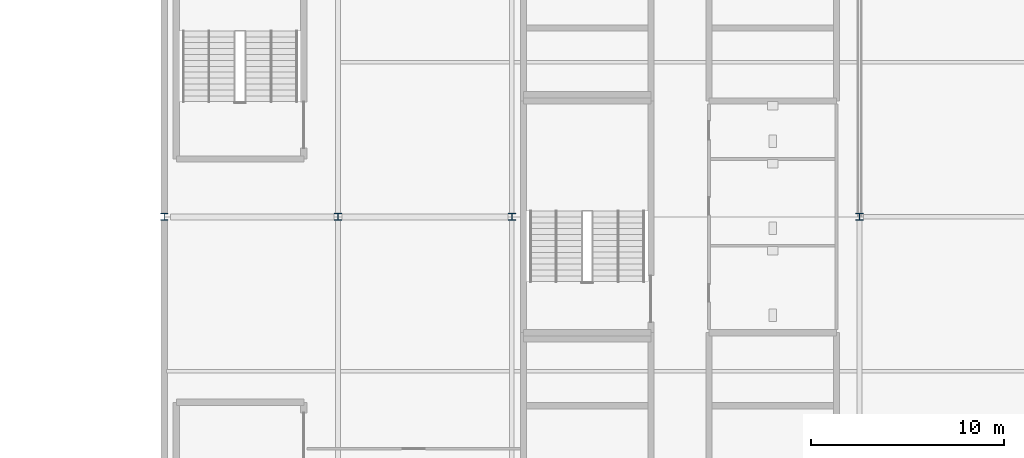
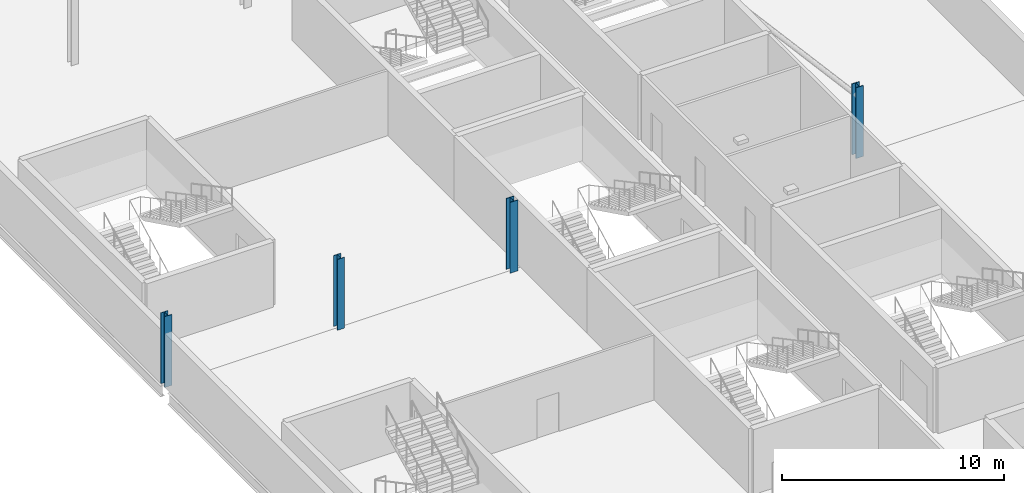
# One storey, part 12 of 105: 4 columns.
"""IFC4 building model written with IfcOpenShell, lengths in metres."""

from ifc_helpers import new_model, si_unit, direction, frame, origin, origin_2d, place, context, subcontext, project, spatial, i_section, extrude, material, material_profile, profile_set, type_object, element, save


model = new_model("IFC4")

# Units and contexts
model_context = context("Model", 3, precision=1e-05, world=origin(), true_north=direction((0.0, 1.0)))
body_context = subcontext(model_context, "Body", "Model", "MODEL_VIEW")
ifc_project = project(units=[si_unit("LENGTHUNIT", "METRE"), si_unit("AREAUNIT", "SQUARE_METRE"), si_unit("VOLUMEUNIT", "CUBIC_METRE"), si_unit("PLANEANGLEUNIT", "RADIAN"), si_unit("MASSUNIT", "GRAM", prefix="KILO")], contexts=[model_context])

# Site, building, storey
site_placement = place(None, origin())
site = spatial("IfcSite", under=ifc_project, at=site_placement, CompositionType="ELEMENT")
building_placement = place(site_placement, origin())
building = spatial("IfcBuilding", under=site, at=building_placement, Name="Kisiwana Market Hall", CompositionType="ELEMENT")
storey_placement = place(building_placement, frame((0.0, 0.0, 21.60009765625)))
storey = spatial("IfcBuildingStorey", under=building, at=storey_placement, Name="L04", CompositionType="ELEMENT", Elevation=21.60009765625)

# Columns
ifc_material_1 = material(Name="Steel S355", Category="steel")
ifc_material_profile_1 = material_profile(ifc_material_1, i_section(OverallWidth=0.37255859375, OverallDepth=0.3681640625, WebThickness=0.014404296875, FlangeThickness=0.023681640625, FilletRadius=0.01513671875, at=origin_2d()), Name="UC 356x368x177")
ifc_profile_set_1 = profile_set([ifc_material_profile_1], Name="Steel S355")
column_type_1 = type_object("IfcColumnType", Name="COL-STL-UC177", PredefinedType="COLUMN", material=ifc_profile_set_1)
for number, where, z_axis, x_axis, name in (
    (1, (153.0, 60.0, 0.0), (0.0, 0.0, 1.0), (1.0, 0.0, 0.0), "Column H/18 (L04) C-0847"),
    (2, (162.0, 60.0, 0.0), (0.0, 0.0, 1.0), (1.0, 0.0, 0.0), "Column H/19 (L04) C-0786"),
):
    element("IfcColumn", number, at=place(storey_placement, frame(where, z_axis=z_axis, x_axis=x_axis)), inside=storey, type_object=column_type_1, Name=name, PredefinedType="COLUMN", context=body_context, shape_type="SweptSolid", body=[
        extrude(i_section(OverallWidth=0.37255859375, OverallDepth=0.3681640625, WebThickness=0.014404296875, FlangeThickness=0.023681640625, FilletRadius=0.01513671875, at=origin_2d()), origin(), (0.0, 0.0, 1.0), 3.89990234375),
    ])
ifc_material_2 = material(Name="Steel S355", Category="steel")
ifc_material_profile_2 = material_profile(ifc_material_2, i_section(OverallWidth=0.394775390625, OverallDepth=0.381103515625, WebThickness=0.018310546875, FlangeThickness=0.0302734375, at=origin_2d()), Name="UC 356x406x235")
ifc_profile_set_2 = profile_set([ifc_material_profile_2], Name="Steel S355")
column_type_2 = type_object("IfcColumnType", Name="COL-STL-UC235", PredefinedType="COLUMN", material=ifc_profile_set_2)
for number, where, z_axis, x_axis, name in (
    (3, (171.0, 60.0, 0.0), (0.0, 0.0, 1.0), (1.0, 0.0, 0.0), "Column H/20 (L04) C-0861"),
    (4, (189.0, 60.0, 0.0), (0.0, 0.0, 1.0), (1.0, 0.0, 0.0), "Column H/22 (L04) C-0787"),
):
    element("IfcColumn", number, at=place(storey_placement, frame(where, z_axis=z_axis, x_axis=x_axis)), inside=storey, type_object=column_type_2, Name=name, PredefinedType="COLUMN", context=body_context, shape_type="SweptSolid", body=[
        extrude(i_section(OverallWidth=0.394775390625, OverallDepth=0.381103515625, WebThickness=0.018310546875, FlangeThickness=0.0302734375, at=origin_2d()), origin(), (0.0, 0.0, 1.0), 3.89990234375),
    ])

save(model, "model.ifc")
